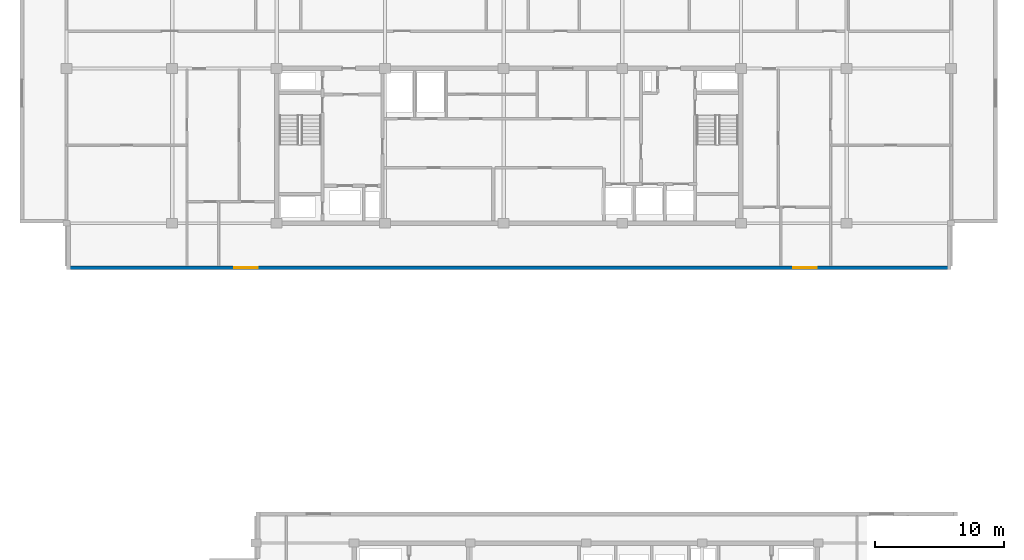
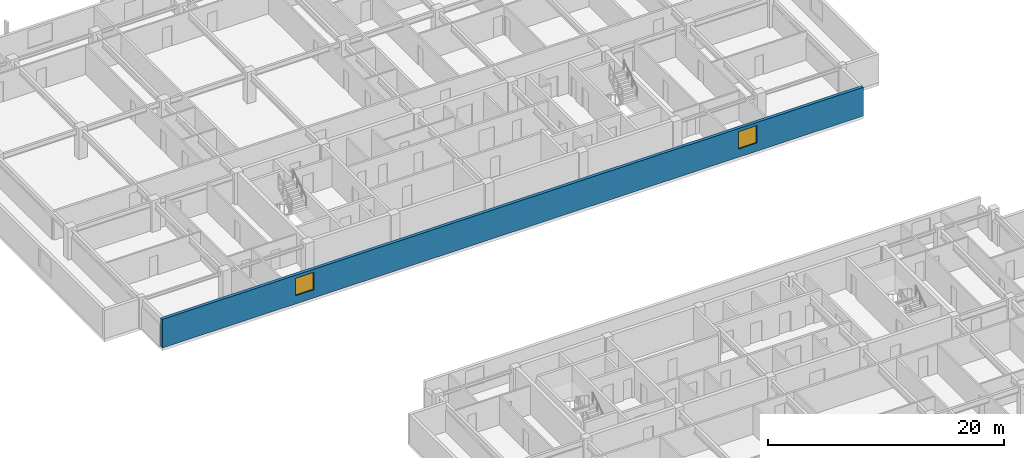
# One storey, part 9 of 22: 2 windows, 1 wall, 2 openings.
"""IFC4 building model written with IfcOpenShell, lengths in metres."""

from ifc_helpers import new_model, si_unit, direction, frame, frame_2d, origin, place, context, subcontext, project, spatial, rectangle, extrude, material, layer, layer_set, type_object, element, fill, save


model = new_model("IFC4")

# Units and contexts
model_context = context("Model", 3, precision=1e-05, world=origin(), true_north=direction((0.0, 1.0)))
body_context = subcontext(model_context, "Body", "Model", "MODEL_VIEW")
ifc_project = project(units=[si_unit("LENGTHUNIT", "METRE"), si_unit("AREAUNIT", "SQUARE_METRE"), si_unit("VOLUMEUNIT", "CUBIC_METRE"), si_unit("PLANEANGLEUNIT", "RADIAN"), si_unit("MASSUNIT", "GRAM", prefix="KILO")], contexts=[model_context])

# Site, building, storey
site_placement = place(None, origin())
site = spatial("IfcSite", under=ifc_project, at=site_placement, CompositionType="ELEMENT")
building_placement = place(site_placement, origin())
building = spatial("IfcBuilding", under=site, at=building_placement, Name="Korimba Cascade Residences", CompositionType="ELEMENT")
storey_placement = place(building_placement, frame((0.0, 0.0, 194.60009765625)))
storey = spatial("IfcBuildingStorey", under=building, at=storey_placement, Name="L56", CompositionType="ELEMENT", Elevation=194.60009765625)

# Wall, openings, windows
ifc_material_1 = material(Name="Precast concrete C40/50", Category="concrete")
ifc_layer = layer(ifc_material_1, 0.300048828125)
ifc_layer_set = layer_set([ifc_layer], Name="Precast concrete C40/50")
wall_type = type_object("IfcWallType", Name="EW-STONE-300", PredefinedType="STANDARD", material=ifc_layer_set)
wall_placement = place(storey_placement, frame((59.800048828125, 51.75, 0.0), z_axis=(0.0, 0.0, 1.0), x_axis=(1.0, 0.0, 0.0)))
wall = element("IfcWall", 1, at=wall_placement, inside=storey, type_object=wall_type, Name="L56 T1 Perimeter Stone Wall E00", PredefinedType="STANDARD", context=body_context, shape_type="SweptSolid", body=[
    extrude(rectangle(XDim=68.599853515625, YDim=0.300048828125, at=frame_2d((34.2998046875, 0.0))), origin(), (0.0, 0.0, 1.0), 2.969970703125),
])
opening_1_placement = place(wall_placement, frame((13.02490234375, 0.0, 0.85009765625)))
opening_1 = element("IfcOpeningElement", 2, at=opening_1_placement, cuts=wall, Name="Opening W-02", PredefinedType="OPENING", context=body_context, shape_type="SweptSolid", body=[
    extrude(rectangle(XDim=1.800048828125, YDim=1.800048828125, at=frame_2d((0.89990234375, 0.89990234375))), frame((0.0, 0.16015625, 0.0), z_axis=(0.0, -1.0, 0.0), x_axis=(1.0, 0.0, 0.0)), (0.0, 0.0, 1.0), 0.320068359375),
])
opening_2_placement = place(wall_placement, frame((56.375, 0.0, 0.85009765625)))
opening_2 = element("IfcOpeningElement", 3, at=opening_2_placement, cuts=wall, Name="Opening W-02", PredefinedType="OPENING", context=body_context, shape_type="SweptSolid", body=[
    extrude(rectangle(XDim=1.800048828125, YDim=1.800048828125, at=frame_2d((0.89990234375, 0.89990234375))), frame((0.0, 0.16015625, 0.0), z_axis=(0.0, -1.0, 0.0), x_axis=(1.0, 0.0, 0.0)), (0.0, 0.0, 1.0), 0.320068359375),
])
ifc_material_2 = material(Name="Double-Glazed Aluminium Window", Category="aluminium")
window_type = type_object("IfcWindowType", Name="WIN-BED-1800", PartitioningType="SINGLE_PANEL", PredefinedType="WINDOW", material=ifc_material_2)
window_1_placement = place(opening_1_placement, origin())
window_1 = element("IfcWindow", 4, at=window_1_placement, inside=storey, type_object=window_type, Name="L56 T1 South Corner Bedroom Window 1", OverallHeight=1.800048828125, OverallWidth=1.800048828125, PartitioningType="SINGLE_PANEL", PredefinedType="WINDOW", context=body_context, shape_type="SweptSolid", body=[
    extrude(rectangle(XDim=1.800048828125, YDim=1.800048828125, at=frame_2d((0.89990234375, 0.89990234375))), frame((0.0, 0.030029296875, 0.0), z_axis=(0.0, -1.0, 0.0), x_axis=(1.0, 0.0, 0.0)), (0.0, 0.0, 1.0), 0.06005859375),
])
fill(opening_1, window_1)
window_2_placement = place(opening_2_placement, origin())
window_2 = element("IfcWindow", 5, at=window_2_placement, inside=storey, type_object=window_type, Name="L56 T1 South Corner Bedroom Window 2", OverallHeight=1.800048828125, OverallWidth=1.800048828125, PartitioningType="SINGLE_PANEL", PredefinedType="WINDOW", context=body_context, shape_type="SweptSolid", body=[
    extrude(rectangle(XDim=1.800048828125, YDim=1.800048828125, at=frame_2d((0.89990234375, 0.89990234375))), frame((0.0, 0.030029296875, 0.0), z_axis=(0.0, -1.0, 0.0), x_axis=(1.0, 0.0, 0.0)), (0.0, 0.0, 1.0), 0.06005859375),
])
fill(opening_2, window_2)

save(model, "model.ifc")
